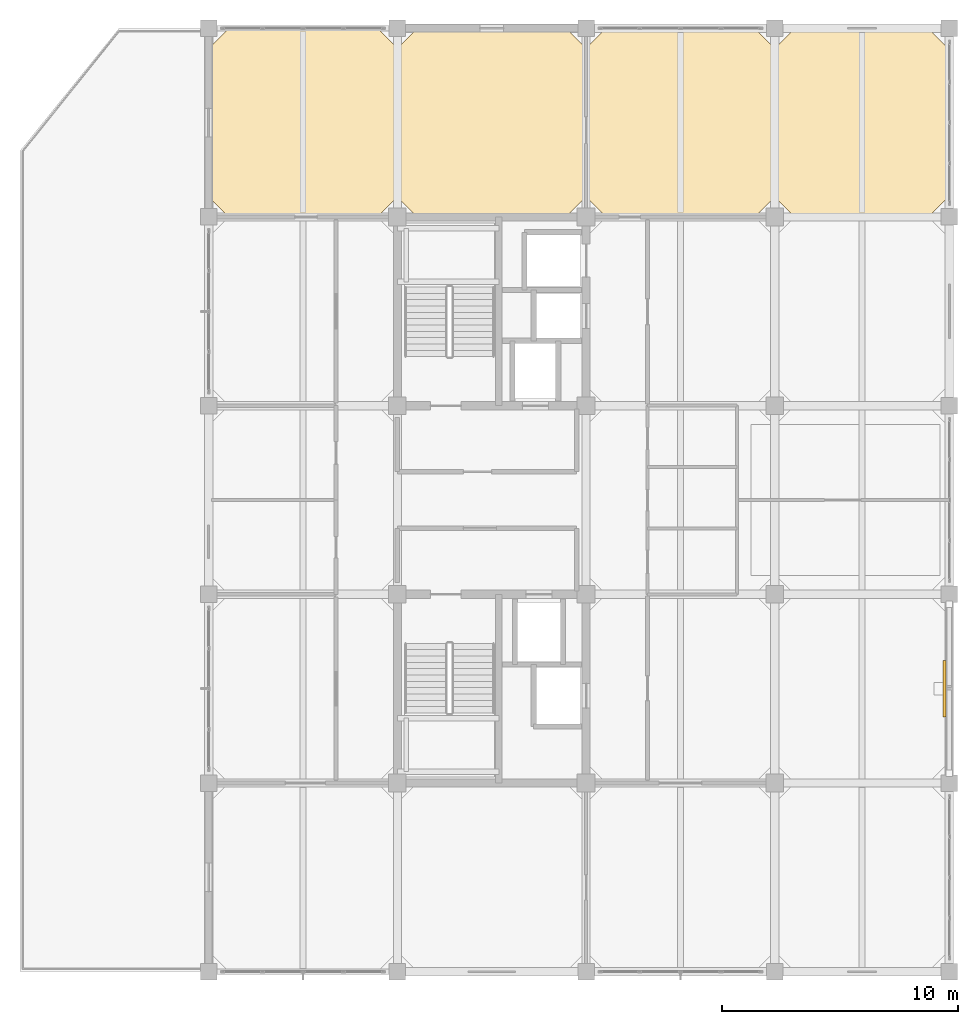
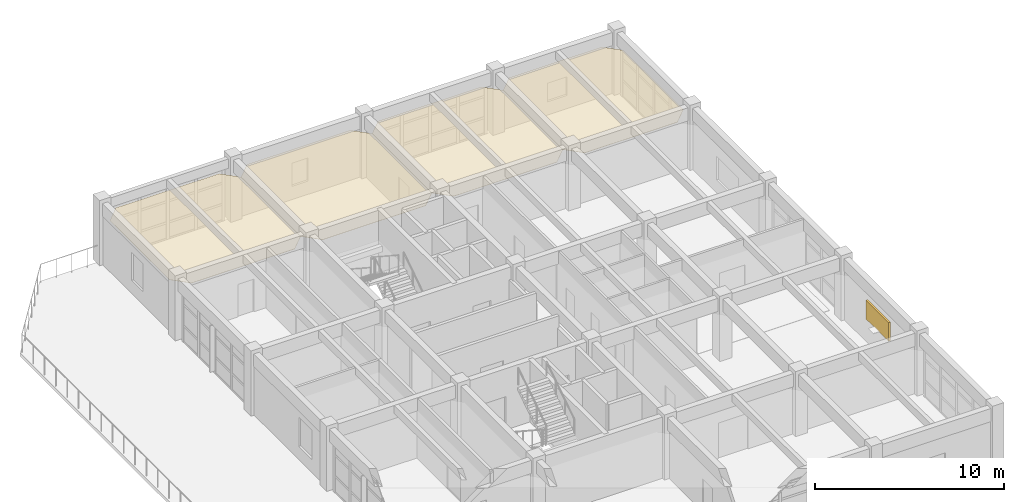
# One storey, part 25 of 25: 4 coverings, 1 shading device.
"""IFC4 building model written with IfcOpenShell, lengths in metres."""

from ifc_helpers import new_model, si_unit, direction, frame, origin, origin_2d, place, context, subcontext, project, spatial, polyline, rectangle, outline, extrude, material, layer, layer_set, type_object, element, save


model = new_model("IFC4")

# Units and contexts
model_context = context("Model", 3, precision=1e-05, world=origin(), true_north=direction((0.0, 1.0)))
body_context = subcontext(model_context, "Body", "Model", "MODEL_VIEW")
ifc_project = project(units=[si_unit("LENGTHUNIT", "METRE"), si_unit("AREAUNIT", "SQUARE_METRE"), si_unit("VOLUMEUNIT", "CUBIC_METRE"), si_unit("PLANEANGLEUNIT", "RADIAN"), si_unit("MASSUNIT", "GRAM", prefix="KILO")], contexts=[model_context])

# Site, building, storey
site_placement = place(None, origin())
site = spatial("IfcSite", under=ifc_project, at=site_placement, CompositionType="ELEMENT")
building_placement = place(site_placement, origin())
building = spatial("IfcBuilding", under=site, at=building_placement, Name="Canggui Botanical Conservatory", CompositionType="ELEMENT")
storey_placement = place(building_placement, frame((0.0, 0.0, 40.199951171875)))
storey = spatial("IfcBuildingStorey", under=building, at=storey_placement, Name="L10", CompositionType="ELEMENT", Elevation=40.199951171875)

# Coverings
ifc_material_1 = material(Name="Mineral Fibre Acoustic Board")
ifc_layer_1 = layer(ifc_material_1, 0.014892578125, Name="Mineral Fibre Acoustic Board")
ifc_layer_set_1 = layer_set([ifc_layer_1], Name="Mineral Fibre Acoustic Board")
covering_type_1 = type_object("IfcCoveringType", Name="COV-CEIL-15", PredefinedType="CEILING", material=ifc_layer_set_1)
covering_1_placement = place(storey_placement, frame((0.0, 0.0, 3.094970703125)))
element("IfcCovering", 1, at=covering_1_placement, inside=storey, type_object=covering_type_1, Name="Suspended Acoustic Ceiling L10-146-66", PredefinedType="CEILING", context=body_context, shape_type="SweptSolid", body=[
    extrude(outline(polyline([(146.85009765625, 66.0), (153.14990234375, 66.0), (154.0, 66.85009765625), (154.0, 73.14990234375), (153.14990234375, 74.0), (146.85009765625, 74.0), (146.0, 73.14990234375), (146.0, 66.85009765625), (146.85009765625, 66.0)])), origin(), (0.0, 0.0, 1.0), 0.01513671875),
])
covering_2_placement = place(storey_placement, frame((0.0, 0.0, 3.094970703125)))
element("IfcCovering", 2, at=covering_2_placement, inside=storey, type_object=covering_type_1, Name="Suspended Acoustic Ceiling L10-162-66", PredefinedType="CEILING", context=body_context, shape_type="SweptSolid", body=[
    extrude(outline(polyline([(162.85009765625, 66.0), (169.14990234375, 66.0), (170.0, 66.85009765625), (170.0, 73.14990234375), (169.14990234375, 74.0), (162.85009765625, 74.0), (162.0, 73.14990234375), (162.0, 66.85009765625), (162.85009765625, 66.0)])), origin(), (0.0, 0.0, 1.0), 0.01513671875),
])
ifc_material_2 = material(Name="Perforated Gypsum Acoustic Panel")
ifc_layer_2 = layer(ifc_material_2, 0.02001953125, Name="Perforated Gypsum Acoustic Panel")
ifc_layer_set_2 = layer_set([ifc_layer_2], Name="Perforated Gypsum Acoustic Panel")
covering_type_2 = type_object("IfcCoveringType", Name="COV-CEIL-20", PredefinedType="CEILING", material=ifc_layer_set_2)
covering_3_placement = place(storey_placement, frame((0.0, 0.0, 3.090087890625)))
element("IfcCovering", 3, at=covering_3_placement, inside=storey, type_object=covering_type_2, Name="Suspended Acoustic Ceiling L10-154-66", PredefinedType="CEILING", context=body_context, shape_type="SweptSolid", body=[
    extrude(outline(polyline([(154.85009765625, 66.0), (161.14990234375, 66.0), (162.0, 66.85009765625), (162.0, 73.14990234375), (161.14990234375, 74.0), (154.85009765625, 74.0), (154.0, 73.14990234375), (154.0, 66.85009765625), (154.85009765625, 66.0)])), origin(), (0.0, 0.0, 1.0), 0.02001953125),
])
covering_4_placement = place(storey_placement, frame((0.0, 0.0, 3.090087890625)))
element("IfcCovering", 4, at=covering_4_placement, inside=storey, type_object=covering_type_2, Name="Suspended Acoustic Ceiling L10-170-66", PredefinedType="CEILING", context=body_context, shape_type="SweptSolid", body=[
    extrude(outline(polyline([(170.85009765625, 66.0), (176.5, 66.0), (177.35009765625, 66.85009765625), (177.35009765625, 73.14990234375), (176.5, 74.0), (170.85009765625, 74.0), (170.0, 73.14990234375), (170.0, 66.85009765625), (170.85009765625, 66.0)])), origin(), (0.0, 0.0, 1.0), 0.02001953125),
])

# Shading device
ifc_material_3 = material(Name="Anodised Aluminium", Category="aluminium")
shading_device_type = type_object("IfcShadingDeviceType", Name="SHD-LOUV01", PredefinedType="JALOUSIE", material=ifc_material_3)
shading_device_placement = place(storey_placement, frame((177.199951171875, 46.0, 1.60009765625), z_axis=(0.0, 0.0, 1.0), x_axis=(0.0, 1.0, 0.0)))
element("IfcShadingDevice", 5, at=shading_device_placement, inside=storey, type_object=shading_device_type, Name="Acoustic Intake Louvre L10-17", PredefinedType="JALOUSIE", context=body_context, shape_type="SweptSolid", body=[
    extrude(rectangle(XDim=2.39990234375, YDim=0.1201171875, at=origin_2d()), origin(), (0.0, 0.0, 1.0), 1.199951171875),
])

save(model, "model.ifc")
